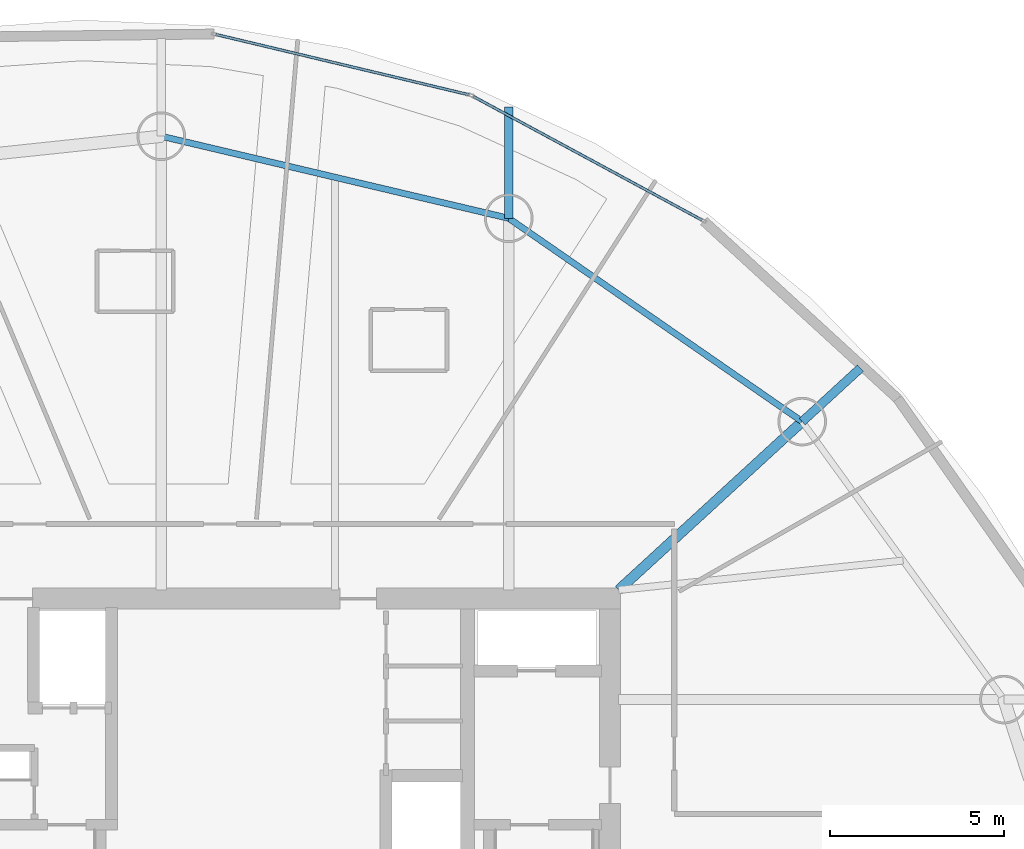
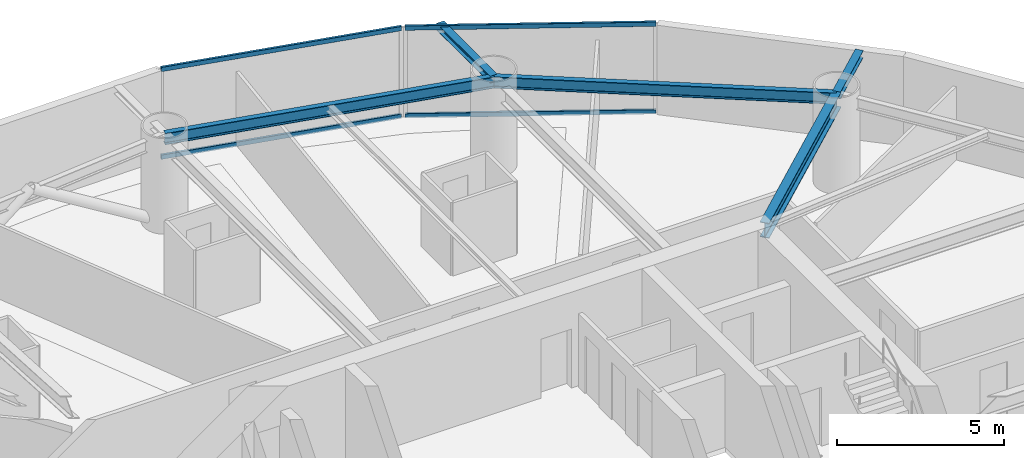
# One storey, part 13 of 22: 5 beams, 4 members, 2 elements without a shape of their own.
"""IFC4 building model written with IfcOpenShell, lengths in metres."""

from ifc_helpers import new_model, si_unit, direction, frame, origin, origin_2d, place, context, subcontext, project, spatial, hollow_rectangle, i_section, extrude, material, layer, layer_set, material_profile, profile_set, type_object, element, aggregate, save


model = new_model("IFC4")

# Units and contexts
model_context = context("Model", 3, precision=1e-05, world=origin(), true_north=direction((0.0, 1.0)))
body_context = subcontext(model_context, "Body", "Model", "MODEL_VIEW")
ifc_project = project(units=[si_unit("LENGTHUNIT", "METRE"), si_unit("AREAUNIT", "SQUARE_METRE"), si_unit("VOLUMEUNIT", "CUBIC_METRE"), si_unit("PLANEANGLEUNIT", "RADIAN"), si_unit("MASSUNIT", "GRAM", prefix="KILO")], contexts=[model_context])

# Site, building, storey
site_placement = place(None, origin())
site = spatial("IfcSite", under=ifc_project, at=site_placement, CompositionType="ELEMENT")
building_placement = place(site_placement, origin())
building = spatial("IfcBuilding", under=site, at=building_placement, Name="Bramvorn Convention Spire", CompositionType="ELEMENT")
storey_placement = place(building_placement, frame((0.0, 0.0, 116.800048828125)))
storey = spatial("IfcBuildingStorey", under=building, at=storey_placement, Name="L28", CompositionType="ELEMENT", Elevation=116.800048828125)

# Beams
ifc_material_1 = material(Name="Steel CSA G40.21 Grade 350 (350W)", Category="steel")
ifc_material_profile_1 = material_profile(ifc_material_1, i_section(OverallWidth=0.25390625, OverallDepth=0.2529296875, WebThickness=0.008544921875, FlangeThickness=0.01416015625, FilletRadius=0.011962890625, at=origin_2d()))
ifc_profile_set_1 = profile_set([ifc_material_profile_1], Name="Steel CSA G40.21 Grade 350 (350W) - W250X73")
beam_type_1 = type_object("IfcBeamType", Name="BM-W250X73", PredefinedType="BEAM", material=ifc_profile_set_1)
beam_1_placement = place(storey_placement, frame((54.534912109375, 38.299072265625, 3.133544921875), z_axis=(0.736855815835, 0.676049929126, 0.0), x_axis=(-0.676049929126, 0.736855815835, 0.0)))
element("IfcBeam", 1, at=beam_1_placement, inside=storey, type_object=beam_type_1, Name="L28 slab-edge cantilever tip beam MC04", PredefinedType="BEAM", context=body_context, shape_type="SweptSolid", body=[
    extrude(i_section(OverallWidth=0.25390625, OverallDepth=0.2529296875, WebThickness=0.008544921875, FlangeThickness=0.01416015625, FilletRadius=0.011962890625, at=origin_2d()), origin(), (0.0, 0.0, 1.0), 2.276611328125),
])
beam_2_placement = place(storey_placement, frame((46.082763671875, 44.154052734375, 3.133544921875), z_axis=(0.0, 1.0, 0.0), x_axis=(-1.0, 0.0, 0.0)))
element("IfcBeam", 2, at=beam_2_placement, inside=storey, type_object=beam_type_1, Name="L28 slab-edge cantilever tip beam MC05", PredefinedType="BEAM", context=body_context, shape_type="SweptSolid", body=[
    extrude(i_section(OverallWidth=0.25390625, OverallDepth=0.2529296875, WebThickness=0.008544921875, FlangeThickness=0.01416015625, FilletRadius=0.011962890625, at=origin_2d()), origin(), (0.0, 0.0, 1.0), 3.199951171875),
])
ifc_material_profile_2 = material_profile(ifc_material_1, i_section(OverallWidth=0.180908203125, OverallDepth=0.4169921875, WebThickness=0.010986328125, FlangeThickness=0.018310546875, FilletRadius=0.01611328125, at=origin_2d()))
ifc_profile_set_2 = profile_set([ifc_material_profile_2], Name="Steel CSA G40.21 Grade 350 (350W) - W410X85")
beam_type_2 = type_object("IfcBeamType", Name="BM-W410X85", PredefinedType="JOIST", material=ifc_profile_set_2)
beam_3_placement = place(storey_placement, frame((54.534912109375, 38.299072265625, 3.051513671875), z_axis=(-0.822033166673, 0.569439613032, 0.0), x_axis=(-0.569439613032, -0.822033166673, 0.0)))
element("IfcBeam", 3, at=beam_3_placement, inside=storey, type_object=beam_type_2, Name="L28 mega-column ring beam 04", PredefinedType="JOIST", context=body_context, shape_type="SweptSolid", body=[
    extrude(i_section(OverallWidth=0.180908203125, OverallDepth=0.4169921875, WebThickness=0.010986328125, FlangeThickness=0.018310546875, FilletRadius=0.01611328125, at=origin_2d()), origin(), (0.0, 0.0, 1.0), 10.281982421875),
])
beam_4_placement = place(storey_placement, frame((46.082763671875, 44.154052734375, 3.051513671875), z_axis=(-0.97322750491, 0.229843911572, 0.0), x_axis=(-0.229843911572, -0.97322750491, 0.0)))
element("IfcBeam", 4, at=beam_4_placement, inside=storey, type_object=beam_type_2, Name="L28 mega-column ring beam 05", PredefinedType="JOIST", context=body_context, shape_type="SweptSolid", body=[
    extrude(i_section(OverallWidth=0.180908203125, OverallDepth=0.4169921875, WebThickness=0.010986328125, FlangeThickness=0.018310546875, FilletRadius=0.01611328125, at=origin_2d()), origin(), (0.0, 0.0, 1.0), 10.2822265625),
])
ifc_material_profile_3 = material_profile(ifc_material_1, i_section(OverallWidth=0.2919921875, OverallDepth=0.551025390625, WebThickness=0.01513671875, FlangeThickness=0.0244140625, FilletRadius=0.01904296875, at=origin_2d()))
ifc_profile_set_3 = profile_set([ifc_material_profile_3], Name="Steel CSA G40.21 Grade 350 (350W) - W530X182")
beam_type_3 = type_object("IfcBeamType", Name="BM-W530X182", PredefinedType="BEAM", material=ifc_profile_set_3)
beam_5_placement = place(storey_placement, frame((49.25, 33.449951171875, 2.984375), z_axis=(0.736833323746, 0.676074443399, 0.0), x_axis=(-0.676074443399, 0.736833323746, 0.0)))
element("IfcBeam", 5, at=beam_5_placement, inside=storey, type_object=beam_type_3, Name="L28 radial floor girder MC04", PredefinedType="BEAM", context=body_context, shape_type="SweptSolid", body=[
    extrude(i_section(OverallWidth=0.2919921875, OverallDepth=0.551025390625, WebThickness=0.01513671875, FlangeThickness=0.0244140625, FilletRadius=0.01904296875, at=origin_2d()), origin(), (0.0, 0.0, 1.0), 7.17236328125),
])

# Curtain wall, members
ifc_material_2 = material(Name="Anodised Bronze Unitised Curtain Wall", Category="aluminium")
ifc_layer = layer(ifc_material_2, 0.179931640625)
ifc_layer_set = layer_set([ifc_layer], Name="Anodised Bronze Unitised Curtain Wall - CW-HTL-FRIT")
curtain_wall_type = type_object("IfcCurtainWallType", Name="CW-HTL-FRIT", PredefinedType="USERDEFINED", material=ifc_layer_set)
curtain_wall_1_placement = place(storey_placement, origin())
curtain_wall_1 = element("IfcCurtainWall", 6, at=curtain_wall_1_placement, inside=storey, type_object=curtain_wall_type, Name="L28 fritted glass curtain wall 06", ObjectType="UNITISED CURTAIN WALL", PredefinedType="USERDEFINED")
ifc_material_3 = material(Name="Anodised Bronze Aluminium 6063-T6", Category="aluminium")
ifc_material_profile_4 = material_profile(ifc_material_3, hollow_rectangle(XDim=0.080078125, YDim=0.159912109375, WallThickness=0.00390625, InnerFilletRadius=0.0009765625, OuterFilletRadius=0.00390625, at=origin_2d()))
ifc_profile_set_4 = profile_set([ifc_material_profile_4], Name="Anodised Bronze Aluminium 6063-T6 - CWT80X160")
member_type = type_object("IfcMemberType", Name="CW-TRN-150", PredefinedType="USERDEFINED", material=ifc_profile_set_4)
member_1_placement = place(storey_placement, frame((45.053466796875, 47.66796875, 0.030029296875), z_axis=(0.87966785428, -0.475588547115, 0.0), x_axis=(0.475588547115, 0.87966785428, 0.0)))
member_1 = element("IfcMember", 7, at=member_1_placement, type_object=member_type, Name="CW2 transom 1.1", ObjectType="TRANSOM", PredefinedType="USERDEFINED", context=body_context, shape_type="SweptSolid", body=[
    extrude(hollow_rectangle(XDim=0.080078125, YDim=0.159912109375, WallThickness=0.00390625, InnerFilletRadius=0.0009765625, OuterFilletRadius=0.00390625, at=origin_2d()), origin(), (0.0, 0.0, 1.0), 7.497314453125),
])
member_2_placement = place(storey_placement, frame((45.053466796875, 47.66796875, 3.22998046875), z_axis=(0.87966785428, -0.475588547115, 0.0), x_axis=(0.475588547115, 0.87966785428, 0.0)))
member_2 = element("IfcMember", 8, at=member_2_placement, type_object=member_type, Name="CW2 transom 1.2", ObjectType="TRANSOM", PredefinedType="USERDEFINED", context=body_context, shape_type="SweptSolid", body=[
    extrude(hollow_rectangle(XDim=0.080078125, YDim=0.159912109375, WallThickness=0.00390625, InnerFilletRadius=0.0009765625, OuterFilletRadius=0.00390625, at=origin_2d()), origin(), (0.0, 0.0, 1.0), 7.497314453125),
])
aggregate(curtain_wall_1, [member_1, member_2])

curtain_wall_2_placement = place(storey_placement, origin())
curtain_wall_2 = element("IfcCurtainWall", 9, at=curtain_wall_2_placement, inside=storey, type_object=curtain_wall_type, Name="L28 fritted glass curtain wall 07", ObjectType="UNITISED CURTAIN WALL", PredefinedType="USERDEFINED")
member_3_placement = place(storey_placement, frame((37.64892578125, 49.4482421875, 0.030029296875), z_axis=(0.972766719166, -0.231786345765, 0.0), x_axis=(0.231786345765, 0.972766719166, 0.0)))
member_3 = element("IfcMember", 10, at=member_3_placement, type_object=member_type, Name="CW2 transom 1.1", ObjectType="TRANSOM", PredefinedType="USERDEFINED", context=body_context, shape_type="SweptSolid", body=[
    extrude(hollow_rectangle(XDim=0.080078125, YDim=0.159912109375, WallThickness=0.00390625, InnerFilletRadius=0.0009765625, OuterFilletRadius=0.00390625, at=origin_2d()), origin(), (0.0, 0.0, 1.0), 7.497314453125),
])
member_4_placement = place(storey_placement, frame((37.64892578125, 49.4482421875, 3.22998046875), z_axis=(0.972766719166, -0.231786345765, 0.0), x_axis=(0.231786345765, 0.972766719166, 0.0)))
member_4 = element("IfcMember", 11, at=member_4_placement, type_object=member_type, Name="CW2 transom 1.2", ObjectType="TRANSOM", PredefinedType="USERDEFINED", context=body_context, shape_type="SweptSolid", body=[
    extrude(hollow_rectangle(XDim=0.080078125, YDim=0.159912109375, WallThickness=0.00390625, InnerFilletRadius=0.0009765625, OuterFilletRadius=0.00390625, at=origin_2d()), origin(), (0.0, 0.0, 1.0), 7.497314453125),
])
aggregate(curtain_wall_2, [member_3, member_4])

save(model, "model.ifc")
